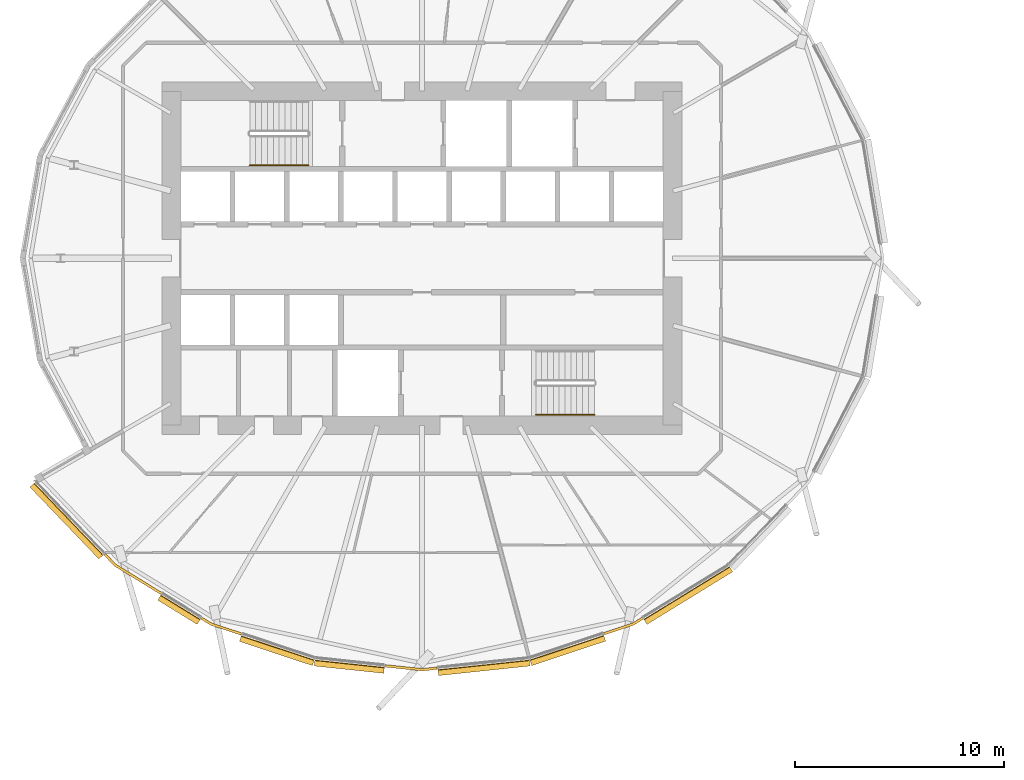
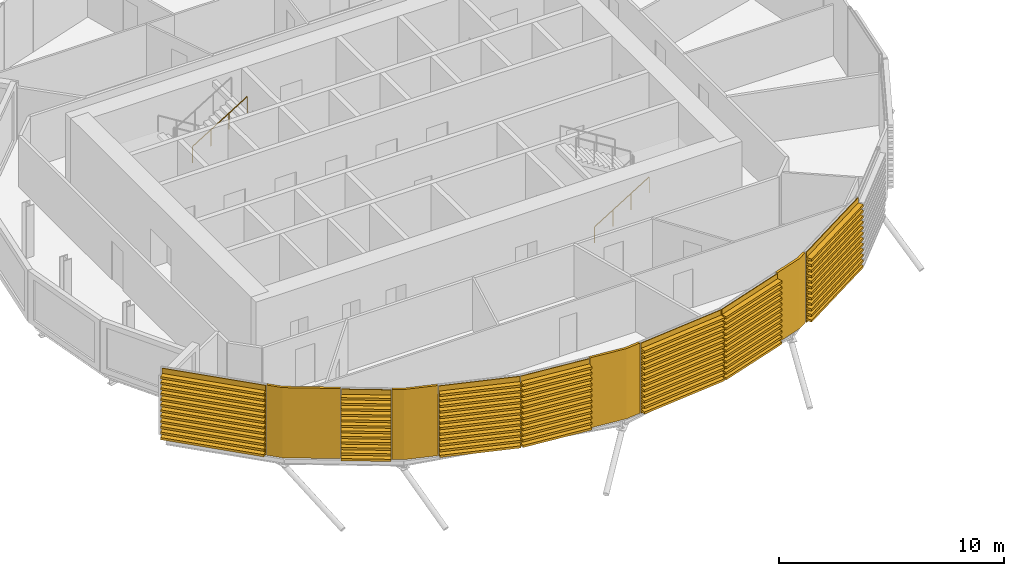
# One storey, part 31 of 36: 11 coverings, 2 railings.
"""IFC4 building model written with IfcOpenShell, lengths in metres."""

from ifc_helpers import new_model, si_unit, direction, frame, origin, origin_2d, place, context, subcontext, project, spatial, polyline, circle, outline, extrude, material, layer, layer_set, material_profile, profile_set, type_object, element, save


model = new_model("IFC4")

# Units and contexts
model_context = context("Model", 3, precision=1e-05, world=origin(), true_north=direction((0.0, 1.0)))
body_context = subcontext(model_context, "Body", "Model", "MODEL_VIEW")
ifc_project = project(units=[si_unit("LENGTHUNIT", "METRE"), si_unit("AREAUNIT", "SQUARE_METRE"), si_unit("VOLUMEUNIT", "CUBIC_METRE"), si_unit("PLANEANGLEUNIT", "RADIAN"), si_unit("MASSUNIT", "GRAM", prefix="KILO")], contexts=[model_context])

# Site, building, storey
site_placement = place(None, origin())
site = spatial("IfcSite", under=ifc_project, at=site_placement, CompositionType="ELEMENT")
building_placement = place(site_placement, origin())
building = spatial("IfcBuilding", under=site, at=building_placement, Name="Rimbun Link Towers", CompositionType="ELEMENT")
storey_placement = place(building_placement, frame((0.0, 0.0, 37.60009765625)))
storey = spatial("IfcBuildingStorey", under=building, at=storey_placement, Name="L08", CompositionType="ELEMENT", Elevation=37.60009765625)

# Coverings
ifc_material_1 = material(Name="Terracotta", Category="masonry")
ifc_layer = layer(ifc_material_1, 0.1201171875)
ifc_layer_set = layer_set([ifc_layer], Name="LINK PIER terracotta cladding 120")
covering_type_1 = type_object("IfcCoveringType", Name="LINK PIER terracotta cladding 120", PredefinedType="CLADDING", material=ifc_layer_set)
covering_1_placement = place(storey_placement, origin())
element("IfcCovering", 1, at=covering_1_placement, inside=storey, type_object=covering_type_1, Name="LINK PIER cladding", PredefinedType="CLADDING", context=body_context, shape_type="SweptSolid", body=[
    extrude(outline(polyline([(-44.220703125, -16.005615234375), (-46.410888671875, -14.660888671875), (-46.9091796875, -14.14111328125), (-46.99560546875, -14.22412109375), (-46.48681640625, -14.7548828125), (-44.283447265625, -16.107666015625), (-44.220703125, -16.005615234375)])), origin(), (0.0, 0.0, 1.0), 3.7998046875),
])
covering_2_placement = place(storey_placement, origin())
element("IfcCovering", 2, at=covering_2_placement, inside=storey, type_object=covering_type_1, Name="LINK PIER cladding", PredefinedType="CLADDING", context=body_context, shape_type="SweptSolid", body=[
    extrude(outline(polyline([(-40.393310546875, -17.94775390625), (-41.836181640625, -17.469482421875), (-42.279296875, -17.197509765625), (-42.342041015625, -17.2998046875), (-41.886962890625, -17.5791015625), (-40.430908203125, -18.0615234375), (-40.393310546875, -17.94775390625)])), origin(), (0.0, 0.0, 1.0), 3.7998046875),
])
covering_3_placement = place(storey_placement, origin())
element("IfcCovering", 3, at=covering_3_placement, inside=storey, type_object=covering_type_1, Name="LINK PIER cladding", PredefinedType="CLADDING", context=body_context, shape_type="SweptSolid", body=[
    extrude(outline(polyline([(-31.033935546875, -19.578857421875), (-31.75, -19.654296875), (-33.51025390625, -19.46875), (-33.52294921875, -19.588134765625), (-31.75, -19.77490234375), (-31.021484375, -19.697998046875), (-31.033935546875, -19.578857421875)])), origin(), (0.0, 0.0, 1.0), 3.7998046875),
])
covering_4_placement = place(storey_placement, origin())
element("IfcCovering", 4, at=covering_4_placement, inside=storey, type_object=covering_type_1, Name="LINK PIER cladding", PredefinedType="CLADDING", context=body_context, shape_type="SweptSolid", body=[
    extrude(outline(polyline([(-21.220703125, -17.197509765625), (-21.663818359375, -17.469482421875), (-23.059326171875, -17.93212890625), (-23.021484375, -18.0458984375), (-21.613037109375, -17.5791015625), (-21.157958984375, -17.2998046875), (-21.220703125, -17.197509765625)])), origin(), (0.0, 0.0, 1.0), 3.7998046875),
])

# Railings
ifc_material_2 = material(Name="Stainless steel grade 316", Category="steel")
railing_type = type_object("IfcRailingType", Name="Stair handrail", PredefinedType="HANDRAIL", material=ifc_material_2)
for number, where, name in (
    (5, (-40.0, 4.449951171875, 2.072509765625), "L08 ST1 stair handrail 2"),
    (6, (-26.300048828125, -7.5, 0.172607421875), "L08 ST2 stair handrail 1"),
):
    element("IfcRailing", number, at=place(storey_placement, frame(where)), inside=storey, type_object=railing_type, Name=name, PredefinedType="HANDRAIL", context=body_context, shape_type="SweptSolid", body=[
        extrude(circle(Radius=0.02392578125, at=origin_2d()), frame((0.0, 0.0, 0.8759765625), z_axis=(0.851089632645, 0.0, 0.525020415988), x_axis=(0.0, 1.0, 0.0)), (0.0, 0.0, 1.0), 3.2900390625),
        extrude(circle(Radius=0.02099609375, at=origin_2d()), origin(), (0.0, 0.0, 1.0), 0.851806640625),
        extrude(circle(Radius=0.02099609375, at=origin_2d()), frame((0.933349609375, 0.0, 0.57568359375)), (0.0, 0.0, 1.0), 0.851806640625),
        extrude(circle(Radius=0.02099609375, at=origin_2d()), frame((1.86669921875, 0.0, 1.151611328125)), (0.0, 0.0, 1.0), 0.851806640625),
        extrude(circle(Radius=0.02099609375, at=origin_2d()), frame((2.800048828125, 0.0, 1.727294921875)), (0.0, 0.0, 1.0), 0.851806640625),
    ])

# Coverings
ifc_material_3 = material(Name="Terracotta", Category="masonry")
ifc_material_profile = material_profile(ifc_material_3, outline(polyline([(0.123046875, 0.0), (0.1630859375, 0.0), (0.1630859375, 0.10009765625), (0.423095703125, 0.10009765625), (0.423095703125, 0.219970703125), (0.1630859375, 0.219970703125), (0.1630859375, 0.39990234375), (0.423095703125, 0.39990234375), (0.423095703125, 0.52001953125), (0.1630859375, 0.52001953125), (0.1630859375, 0.699951171875), (0.423095703125, 0.699951171875), (0.423095703125, 0.820068359375), (0.1630859375, 0.820068359375), (0.1630859375, 1.0), (0.423095703125, 1.0), (0.423095703125, 1.1201171875), (0.1630859375, 1.1201171875), (0.1630859375, 1.300048828125), (0.423095703125, 1.300048828125), (0.423095703125, 1.419921875), (0.1630859375, 1.419921875), (0.1630859375, 1.60009765625), (0.423095703125, 1.60009765625), (0.423095703125, 1.719970703125), (0.1630859375, 1.719970703125), (0.1630859375, 1.89990234375), (0.423095703125, 1.89990234375), (0.423095703125, 2.02001953125), (0.1630859375, 2.02001953125), (0.1630859375, 2.199951171875), (0.423095703125, 2.199951171875), (0.423095703125, 2.320068359375), (0.1630859375, 2.320068359375), (0.1630859375, 2.5), (0.423095703125, 2.5), (0.423095703125, 2.6201171875), (0.1630859375, 2.6201171875), (0.1630859375, 2.800048828125), (0.423095703125, 2.800048828125), (0.423095703125, 2.919921875), (0.1630859375, 2.919921875), (0.1630859375, 3.10009765625), (0.423095703125, 3.10009765625), (0.423095703125, 3.219970703125), (0.1630859375, 3.219970703125), (0.1630859375, 3.39990234375), (0.423095703125, 3.39990234375), (0.423095703125, 3.52001953125), (0.1630859375, 3.52001953125), (0.1630859375, 3.800048828125), (0.123046875, 3.800048828125), (0.123046875, 0.0)])), Name="BAGUETTE 120X300")
ifc_profile_set = profile_set([ifc_material_profile], Name="Terracotta")
covering_type_2 = type_object("IfcCoveringType", Name="TERRACOTTA BAGUETTE 120X300 H3800", PredefinedType="CLADDING", material=ifc_profile_set)
covering_5_placement = place(storey_placement, frame((-46.929931640625, -14.119384765625, 0.0), z_axis=(-0.692047475456, 0.721851987401, 0.0), x_axis=(-0.721851987401, -0.692047475456, 0.0)))
element("IfcCovering", 7, at=covering_5_placement, inside=storey, type_object=covering_type_2, Name="TERRACOTTA BAGUETTE", PredefinedType="CLADDING", context=body_context, shape_type="SweptSolid", body=[
    extrude(outline(polyline([(0.123046875, 0.0), (0.1630859375, 0.0), (0.1630859375, 0.10009765625), (0.423095703125, 0.10009765625), (0.423095703125, 0.219970703125), (0.1630859375, 0.219970703125), (0.1630859375, 0.39990234375), (0.423095703125, 0.39990234375), (0.423095703125, 0.52001953125), (0.1630859375, 0.52001953125), (0.1630859375, 0.699951171875), (0.423095703125, 0.699951171875), (0.423095703125, 0.820068359375), (0.1630859375, 0.820068359375), (0.1630859375, 1.0), (0.423095703125, 1.0), (0.423095703125, 1.1201171875), (0.1630859375, 1.1201171875), (0.1630859375, 1.300048828125), (0.423095703125, 1.300048828125), (0.423095703125, 1.419921875), (0.1630859375, 1.419921875), (0.1630859375, 1.60009765625), (0.423095703125, 1.60009765625), (0.423095703125, 1.719970703125), (0.1630859375, 1.719970703125), (0.1630859375, 1.89990234375), (0.423095703125, 1.89990234375), (0.423095703125, 2.02001953125), (0.1630859375, 2.02001953125), (0.1630859375, 2.199951171875), (0.423095703125, 2.199951171875), (0.423095703125, 2.320068359375), (0.1630859375, 2.320068359375), (0.1630859375, 2.5), (0.423095703125, 2.5), (0.423095703125, 2.6201171875), (0.1630859375, 2.6201171875), (0.1630859375, 2.800048828125), (0.423095703125, 2.800048828125), (0.423095703125, 2.919921875), (0.1630859375, 2.919921875), (0.1630859375, 3.10009765625), (0.423095703125, 3.10009765625), (0.423095703125, 3.219970703125), (0.1630859375, 3.219970703125), (0.1630859375, 3.39990234375), (0.423095703125, 3.39990234375), (0.423095703125, 3.52001953125), (0.1630859375, 3.52001953125), (0.1630859375, 3.800048828125), (0.123046875, 3.800048828125), (0.123046875, 0.0)])), origin(), (0.0, 0.0, 1.0), 4.775634765625),
])
covering_6_placement = place(storey_placement, frame((-42.3046875, -17.181884765625, 0.0), z_axis=(-0.852194471791, 0.523225173562, 0.0), x_axis=(-0.523225173562, -0.852194471791, 0.0)))
element("IfcCovering", 8, at=covering_6_placement, inside=storey, type_object=covering_type_2, Name="TERRACOTTA BAGUETTE", PredefinedType="CLADDING", context=body_context, shape_type="SweptSolid", body=[
    extrude(outline(polyline([(0.123046875, 0.0), (0.1630859375, 0.0), (0.1630859375, 0.10009765625), (0.423095703125, 0.10009765625), (0.423095703125, 0.219970703125), (0.1630859375, 0.219970703125), (0.1630859375, 0.39990234375), (0.423095703125, 0.39990234375), (0.423095703125, 0.52001953125), (0.1630859375, 0.52001953125), (0.1630859375, 0.699951171875), (0.423095703125, 0.699951171875), (0.423095703125, 0.820068359375), (0.1630859375, 0.820068359375), (0.1630859375, 1.0), (0.423095703125, 1.0), (0.423095703125, 1.1201171875), (0.1630859375, 1.1201171875), (0.1630859375, 1.300048828125), (0.423095703125, 1.300048828125), (0.423095703125, 1.419921875), (0.1630859375, 1.419921875), (0.1630859375, 1.60009765625), (0.423095703125, 1.60009765625), (0.423095703125, 1.719970703125), (0.1630859375, 1.719970703125), (0.1630859375, 1.89990234375), (0.423095703125, 1.89990234375), (0.423095703125, 2.02001953125), (0.1630859375, 2.02001953125), (0.1630859375, 2.199951171875), (0.423095703125, 2.199951171875), (0.423095703125, 2.320068359375), (0.1630859375, 2.320068359375), (0.1630859375, 2.5), (0.423095703125, 2.5), (0.423095703125, 2.6201171875), (0.1630859375, 2.6201171875), (0.1630859375, 2.800048828125), (0.423095703125, 2.800048828125), (0.423095703125, 2.919921875), (0.1630859375, 2.919921875), (0.1630859375, 3.10009765625), (0.423095703125, 3.10009765625), (0.423095703125, 3.219970703125), (0.1630859375, 3.219970703125), (0.1630859375, 3.39990234375), (0.423095703125, 3.39990234375), (0.423095703125, 3.52001953125), (0.1630859375, 3.52001953125), (0.1630859375, 3.800048828125), (0.123046875, 3.800048828125), (0.123046875, 0.0)])), origin(), (0.0, 0.0, 1.0), 2.21826171875),
])
covering_7_placement = place(storey_placement, frame((-36.871826171875, -19.11474609375, 0.0), z_axis=(-0.949239146914, 0.314555308277, 0.0), x_axis=(-0.314555308277, -0.949239146914, 0.0)))
element("IfcCovering", 9, at=covering_7_placement, inside=storey, type_object=covering_type_2, Name="TERRACOTTA BAGUETTE", PredefinedType="CLADDING", context=body_context, shape_type="SweptSolid", body=[
    extrude(outline(polyline([(0.123046875, 0.0), (0.1630859375, 0.0), (0.1630859375, 0.10009765625), (0.423095703125, 0.10009765625), (0.423095703125, 0.219970703125), (0.1630859375, 0.219970703125), (0.1630859375, 0.39990234375), (0.423095703125, 0.39990234375), (0.423095703125, 0.52001953125), (0.1630859375, 0.52001953125), (0.1630859375, 0.699951171875), (0.423095703125, 0.699951171875), (0.423095703125, 0.820068359375), (0.1630859375, 0.820068359375), (0.1630859375, 1.0), (0.423095703125, 1.0), (0.423095703125, 1.1201171875), (0.1630859375, 1.1201171875), (0.1630859375, 1.300048828125), (0.423095703125, 1.300048828125), (0.423095703125, 1.419921875), (0.1630859375, 1.419921875), (0.1630859375, 1.60009765625), (0.423095703125, 1.60009765625), (0.423095703125, 1.719970703125), (0.1630859375, 1.719970703125), (0.1630859375, 1.89990234375), (0.423095703125, 1.89990234375), (0.423095703125, 2.02001953125), (0.1630859375, 2.02001953125), (0.1630859375, 2.199951171875), (0.423095703125, 2.199951171875), (0.423095703125, 2.320068359375), (0.1630859375, 2.320068359375), (0.1630859375, 2.5), (0.423095703125, 2.5), (0.423095703125, 2.6201171875), (0.1630859375, 2.6201171875), (0.1630859375, 2.800048828125), (0.423095703125, 2.800048828125), (0.423095703125, 2.919921875), (0.1630859375, 2.919921875), (0.1630859375, 3.10009765625), (0.423095703125, 3.10009765625), (0.423095703125, 3.219970703125), (0.1630859375, 3.219970703125), (0.1630859375, 3.39990234375), (0.423095703125, 3.39990234375), (0.423095703125, 3.52001953125), (0.1630859375, 3.52001953125), (0.1630859375, 3.800048828125), (0.123046875, 3.800048828125), (0.123046875, 0.0)])), origin(), (0.0, 0.0, 1.0), 3.6796875),
])
covering_8_placement = place(storey_placement, frame((-33.5400390625, -19.465576171875, 0.0), z_axis=(-0.994501858584, 0.104718925096, 0.0), x_axis=(-0.104718925096, -0.994501858584, 0.0)))
element("IfcCovering", 10, at=covering_8_placement, inside=storey, type_object=covering_type_2, Name="TERRACOTTA BAGUETTE", PredefinedType="CLADDING", context=body_context, shape_type="SweptSolid", body=[
    extrude(outline(polyline([(0.123046875, 0.0), (0.1630859375, 0.0), (0.1630859375, 0.10009765625), (0.423095703125, 0.10009765625), (0.423095703125, 0.219970703125), (0.1630859375, 0.219970703125), (0.1630859375, 0.39990234375), (0.423095703125, 0.39990234375), (0.423095703125, 0.52001953125), (0.1630859375, 0.52001953125), (0.1630859375, 0.699951171875), (0.423095703125, 0.699951171875), (0.423095703125, 0.820068359375), (0.1630859375, 0.820068359375), (0.1630859375, 1.0), (0.423095703125, 1.0), (0.423095703125, 1.1201171875), (0.1630859375, 1.1201171875), (0.1630859375, 1.300048828125), (0.423095703125, 1.300048828125), (0.423095703125, 1.419921875), (0.1630859375, 1.419921875), (0.1630859375, 1.60009765625), (0.423095703125, 1.60009765625), (0.423095703125, 1.719970703125), (0.1630859375, 1.719970703125), (0.1630859375, 1.89990234375), (0.423095703125, 1.89990234375), (0.423095703125, 2.02001953125), (0.1630859375, 2.02001953125), (0.1630859375, 2.199951171875), (0.423095703125, 2.199951171875), (0.423095703125, 2.320068359375), (0.1630859375, 2.320068359375), (0.1630859375, 2.5), (0.423095703125, 2.5), (0.423095703125, 2.6201171875), (0.1630859375, 2.6201171875), (0.1630859375, 2.800048828125), (0.423095703125, 2.800048828125), (0.423095703125, 2.919921875), (0.1630859375, 2.919921875), (0.1630859375, 3.10009765625), (0.423095703125, 3.10009765625), (0.423095703125, 3.219970703125), (0.1630859375, 3.219970703125), (0.1630859375, 3.39990234375), (0.423095703125, 3.39990234375), (0.423095703125, 3.52001953125), (0.1630859375, 3.52001953125), (0.1630859375, 3.800048828125), (0.123046875, 3.800048828125), (0.123046875, 0.0)])), origin(), (0.0, 0.0, 1.0), 3.35009765625),
])
covering_9_placement = place(storey_placement, frame((-26.628173828125, -19.11474609375, 0.0), z_axis=(-0.994498153958, -0.104754101466, 0.0), x_axis=(0.104754101466, -0.994498153958, 0.0)))
element("IfcCovering", 11, at=covering_9_placement, inside=storey, type_object=covering_type_2, Name="TERRACOTTA BAGUETTE", PredefinedType="CLADDING", context=body_context, shape_type="SweptSolid", body=[
    extrude(outline(polyline([(0.123046875, 0.0), (0.1630859375, 0.0), (0.1630859375, 0.10009765625), (0.423095703125, 0.10009765625), (0.423095703125, 0.219970703125), (0.1630859375, 0.219970703125), (0.1630859375, 0.39990234375), (0.423095703125, 0.39990234375), (0.423095703125, 0.52001953125), (0.1630859375, 0.52001953125), (0.1630859375, 0.699951171875), (0.423095703125, 0.699951171875), (0.423095703125, 0.820068359375), (0.1630859375, 0.820068359375), (0.1630859375, 1.0), (0.423095703125, 1.0), (0.423095703125, 1.1201171875), (0.1630859375, 1.1201171875), (0.1630859375, 1.300048828125), (0.423095703125, 1.300048828125), (0.423095703125, 1.419921875), (0.1630859375, 1.419921875), (0.1630859375, 1.60009765625), (0.423095703125, 1.60009765625), (0.423095703125, 1.719970703125), (0.1630859375, 1.719970703125), (0.1630859375, 1.89990234375), (0.423095703125, 1.89990234375), (0.423095703125, 2.02001953125), (0.1630859375, 2.02001953125), (0.1630859375, 2.199951171875), (0.423095703125, 2.199951171875), (0.423095703125, 2.320068359375), (0.1630859375, 2.320068359375), (0.1630859375, 2.5), (0.423095703125, 2.5), (0.423095703125, 2.6201171875), (0.1630859375, 2.6201171875), (0.1630859375, 2.800048828125), (0.423095703125, 2.800048828125), (0.423095703125, 2.919921875), (0.1630859375, 2.919921875), (0.1630859375, 3.10009765625), (0.423095703125, 3.10009765625), (0.423095703125, 3.219970703125), (0.1630859375, 3.219970703125), (0.1630859375, 3.39990234375), (0.423095703125, 3.39990234375), (0.423095703125, 3.52001953125), (0.1630859375, 3.52001953125), (0.1630859375, 3.800048828125), (0.123046875, 3.800048828125), (0.123046875, 0.0)])), origin(), (0.0, 0.0, 1.0), 4.400146484375),
])
covering_10_placement = place(storey_placement, frame((-23.087646484375, -17.94140625, 0.0), z_axis=(-0.949231687983, -0.314577816332, 0.0), x_axis=(0.314577816332, -0.949231687983, 0.0)))
element("IfcCovering", 12, at=covering_10_placement, inside=storey, type_object=covering_type_2, Name="TERRACOTTA BAGUETTE", PredefinedType="CLADDING", context=body_context, shape_type="SweptSolid", body=[
    extrude(outline(polyline([(0.123046875, 0.0), (0.1630859375, 0.0), (0.1630859375, 0.10009765625), (0.423095703125, 0.10009765625), (0.423095703125, 0.219970703125), (0.1630859375, 0.219970703125), (0.1630859375, 0.39990234375), (0.423095703125, 0.39990234375), (0.423095703125, 0.52001953125), (0.1630859375, 0.52001953125), (0.1630859375, 0.699951171875), (0.423095703125, 0.699951171875), (0.423095703125, 0.820068359375), (0.1630859375, 0.820068359375), (0.1630859375, 1.0), (0.423095703125, 1.0), (0.423095703125, 1.1201171875), (0.1630859375, 1.1201171875), (0.1630859375, 1.300048828125), (0.423095703125, 1.300048828125), (0.423095703125, 1.419921875), (0.1630859375, 1.419921875), (0.1630859375, 1.60009765625), (0.423095703125, 1.60009765625), (0.423095703125, 1.719970703125), (0.1630859375, 1.719970703125), (0.1630859375, 1.89990234375), (0.423095703125, 1.89990234375), (0.423095703125, 2.02001953125), (0.1630859375, 2.02001953125), (0.1630859375, 2.199951171875), (0.423095703125, 2.199951171875), (0.423095703125, 2.320068359375), (0.1630859375, 2.320068359375), (0.1630859375, 2.5), (0.423095703125, 2.5), (0.423095703125, 2.6201171875), (0.1630859375, 2.6201171875), (0.1630859375, 2.800048828125), (0.423095703125, 2.800048828125), (0.423095703125, 2.919921875), (0.1630859375, 2.919921875), (0.1630859375, 3.10009765625), (0.423095703125, 3.10009765625), (0.423095703125, 3.219970703125), (0.1630859375, 3.219970703125), (0.1630859375, 3.39990234375), (0.423095703125, 3.39990234375), (0.423095703125, 3.52001953125), (0.1630859375, 3.52001953125), (0.1630859375, 3.800048828125), (0.123046875, 3.800048828125), (0.123046875, 0.0)])), origin(), (0.0, 0.0, 1.0), 3.72998046875),
])
covering_11_placement = place(storey_placement, frame((-17.089111328125, -14.660888671875, 0.0), z_axis=(-0.852204123862, -0.523209452583, 0.0), x_axis=(0.523209452583, -0.852204123862, 0.0)))
element("IfcCovering", 13, at=covering_11_placement, inside=storey, type_object=covering_type_2, Name="TERRACOTTA BAGUETTE", PredefinedType="CLADDING", context=body_context, shape_type="SweptSolid", body=[
    extrude(outline(polyline([(0.123046875, 0.0), (0.1630859375, 0.0), (0.1630859375, 0.10009765625), (0.423095703125, 0.10009765625), (0.423095703125, 0.219970703125), (0.1630859375, 0.219970703125), (0.1630859375, 0.39990234375), (0.423095703125, 0.39990234375), (0.423095703125, 0.52001953125), (0.1630859375, 0.52001953125), (0.1630859375, 0.699951171875), (0.423095703125, 0.699951171875), (0.423095703125, 0.820068359375), (0.1630859375, 0.820068359375), (0.1630859375, 1.0), (0.423095703125, 1.0), (0.423095703125, 1.1201171875), (0.1630859375, 1.1201171875), (0.1630859375, 1.300048828125), (0.423095703125, 1.300048828125), (0.423095703125, 1.419921875), (0.1630859375, 1.419921875), (0.1630859375, 1.60009765625), (0.423095703125, 1.60009765625), (0.423095703125, 1.719970703125), (0.1630859375, 1.719970703125), (0.1630859375, 1.89990234375), (0.423095703125, 1.89990234375), (0.423095703125, 2.02001953125), (0.1630859375, 2.02001953125), (0.1630859375, 2.199951171875), (0.423095703125, 2.199951171875), (0.423095703125, 2.320068359375), (0.1630859375, 2.320068359375), (0.1630859375, 2.5), (0.423095703125, 2.5), (0.423095703125, 2.6201171875), (0.1630859375, 2.6201171875), (0.1630859375, 2.800048828125), (0.423095703125, 2.800048828125), (0.423095703125, 2.919921875), (0.1630859375, 2.919921875), (0.1630859375, 3.10009765625), (0.423095703125, 3.10009765625), (0.423095703125, 3.219970703125), (0.1630859375, 3.219970703125), (0.1630859375, 3.39990234375), (0.423095703125, 3.39990234375), (0.423095703125, 3.52001953125), (0.1630859375, 3.52001953125), (0.1630859375, 3.800048828125), (0.123046875, 3.800048828125), (0.123046875, 0.0)])), origin(), (0.0, 0.0, 1.0), 4.818359375),
])

save(model, "model.ifc")
